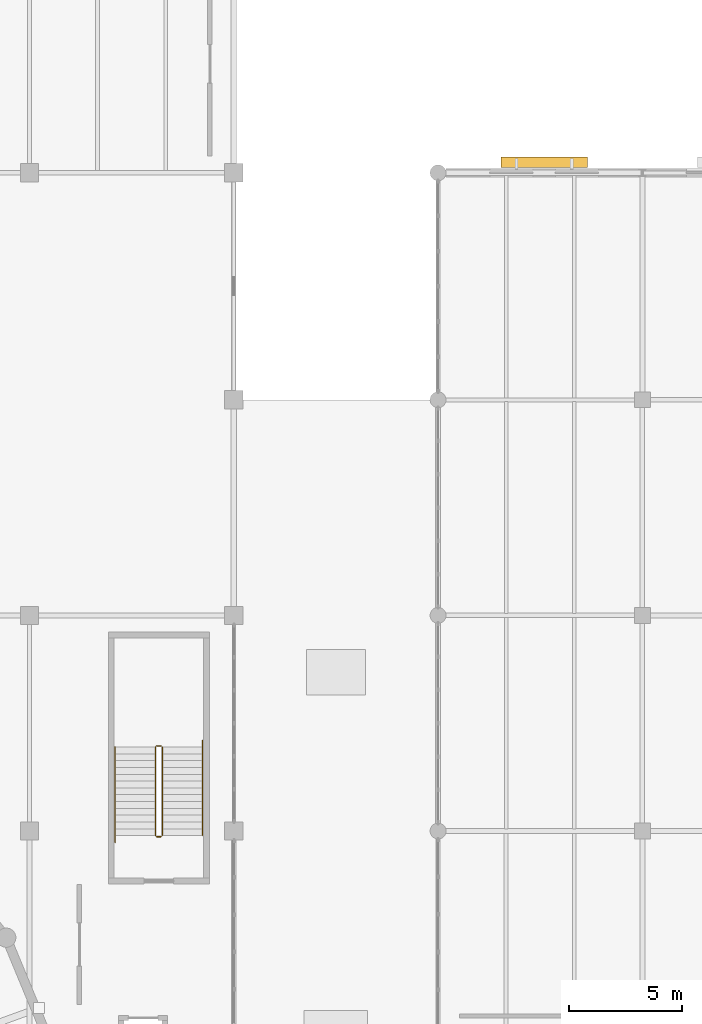
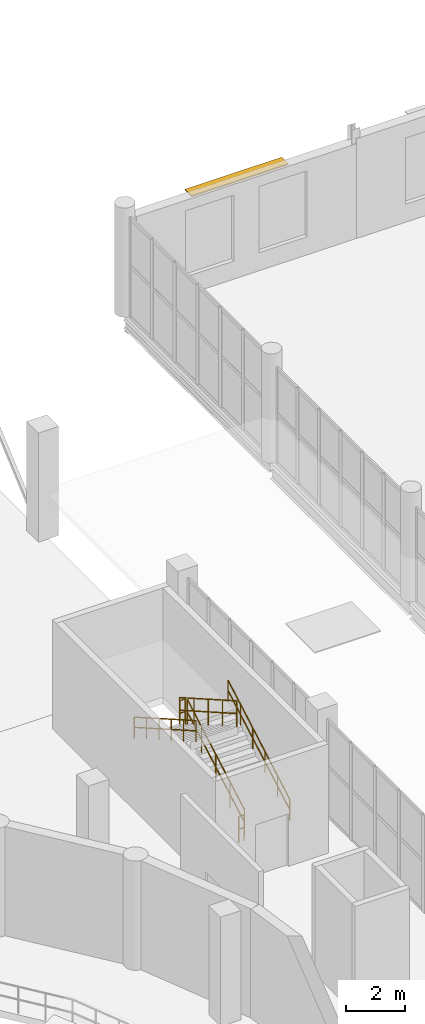
# One storey, part 91 of 93: 6 railings, 1 shading device.
"""IFC4 building model written with IfcOpenShell, lengths in metres."""

from ifc_helpers import new_model, si_unit, direction, frame, origin, origin_2d, place, context, subcontext, project, spatial, rectangle, circle, extrude, material, layer, layer_set, type_object, element, save


model = new_model("IFC4")

# Units and contexts
model_context = context("Model", 3, precision=1e-05, world=origin(), true_north=direction((0.0, 1.0)))
body_context = subcontext(model_context, "Body", "Model", "MODEL_VIEW")
ifc_project = project(units=[si_unit("LENGTHUNIT", "METRE"), si_unit("AREAUNIT", "SQUARE_METRE"), si_unit("VOLUMEUNIT", "CUBIC_METRE"), si_unit("PLANEANGLEUNIT", "RADIAN"), si_unit("MASSUNIT", "GRAM", prefix="KILO")], contexts=[model_context])

# Site, building, storey
site_placement = place(None, origin())
site = spatial("IfcSite", under=ifc_project, at=site_placement, CompositionType="ELEMENT")
building_placement = place(site_placement, origin())
building = spatial("IfcBuilding", under=site, at=building_placement, Name="Marnock Terrace Opera House", CompositionType="ELEMENT")
storey_placement = place(building_placement, frame((0.0, 0.0, 5.39990234375)))
storey = spatial("IfcBuildingStorey", under=building, at=storey_placement, Name="L01", CompositionType="ELEMENT", Elevation=5.39990234375)

# Railings
ifc_material_1 = material(Name="Architectural bronze balustrade")
railing_type_1 = type_object("IfcRailingType", Name="RL-GUARD-1100", PredefinedType="GUARDRAIL", material=ifc_material_1)
railing_1_placement = place(storey_placement, frame((105.85009765625, 74.800048828125, 0.171630859375)))
element("IfcRailing", 1, at=railing_1_placement, inside=storey, type_object=railing_type_1, Name="L01 ST-04 stair guard 1", PredefinedType="GUARDRAIL", context=body_context, shape_type="SweptSolid", body=[
    extrude(circle(Radius=0.02392578125, at=origin_2d()), frame((0.0, 0.0, 1.076171875), z_axis=(0.0, 0.868243142124, 0.496138938357), x_axis=(-1.0, 0.0, 0.0)), (0.0, 0.0, 1.0), 4.49169921875),
    extrude(circle(Radius=0.02392578125, at=origin_2d()), frame((0.0, 0.0, 0.550048828125), z_axis=(0.0, 0.868243142124, 0.496138938357), x_axis=(-1.0, 0.0, 0.0)), (0.0, 0.0, 1.0), 4.49169921875),
    extrude(circle(Radius=0.02099609375, at=origin_2d()), origin(), (0.0, 0.0, 1.0), 1.052001953125),
    extrude(circle(Radius=0.02099609375, at=origin_2d()), frame((0.0, 0.97509765625, 0.55712890625)), (0.0, 0.0, 1.0), 1.052001953125),
    extrude(circle(Radius=0.02099609375, at=origin_2d()), frame((0.0, 1.949951171875, 1.1142578125)), (0.0, 0.0, 1.0), 1.052001953125),
    extrude(circle(Radius=0.02099609375, at=origin_2d()), frame((0.0, 2.9248046875, 1.67138671875)), (0.0, 0.0, 1.0), 1.052001953125),
    extrude(circle(Radius=0.02099609375, at=origin_2d()), frame((0.0, 3.89990234375, 2.228515625)), (0.0, 0.0, 1.0), 1.052001953125),
])
railing_2_placement = place(storey_placement, frame((105.800048828125, 78.75, 2.400146484375)))
element("IfcRailing", 2, at=railing_2_placement, inside=storey, type_object=railing_type_1, Name="L01 ST-04 stair guard 2", PredefinedType="GUARDRAIL", context=body_context, shape_type="SweptSolid", body=[
    extrude(circle(Radius=0.02392578125, at=origin_2d()), frame((0.0, 0.0, 1.076171875), z_axis=(-1.0, 0.0, 0.0), x_axis=(0.0, -1.0, 0.0)), (0.0, 0.0, 1.0), 0.199951171875),
    extrude(circle(Radius=0.02392578125, at=origin_2d()), frame((0.0, 0.0, 0.550048828125), z_axis=(-1.0, 0.0, 0.0), x_axis=(0.0, -1.0, 0.0)), (0.0, 0.0, 1.0), 0.199951171875),
    extrude(circle(Radius=0.02099609375, at=origin_2d()), origin(), (0.0, 0.0, 1.0), 1.052001953125),
    extrude(circle(Radius=0.02099609375, at=origin_2d()), frame((-0.199951171875, 0.0, 0.0)), (0.0, 0.0, 1.0), 1.052001953125),
])
railing_3_placement = place(storey_placement, frame((105.550048828125, 78.699951171875, 2.571533203125)))
element("IfcRailing", 3, at=railing_3_placement, inside=storey, type_object=railing_type_1, Name="L01 ST-04 stair guard 3", PredefinedType="GUARDRAIL", context=body_context, shape_type="SweptSolid", body=[
    extrude(circle(Radius=0.02392578125, at=origin_2d()), frame((0.0, 0.0, 1.076171875), z_axis=(0.0, -0.868243142124, 0.496138938357), x_axis=(1.0, 0.0, 0.0)), (0.0, 0.0, 1.0), 4.49169921875),
    extrude(circle(Radius=0.02392578125, at=origin_2d()), frame((0.0, 0.0, 0.550048828125), z_axis=(0.0, -0.868243142124, 0.496138938357), x_axis=(1.0, 0.0, 0.0)), (0.0, 0.0, 1.0), 4.49169921875),
    extrude(circle(Radius=0.02099609375, at=origin_2d()), origin(), (0.0, 0.0, 1.0), 1.052001953125),
    extrude(circle(Radius=0.02099609375, at=origin_2d()), frame((0.0, -0.97509765625, 0.55712890625)), (0.0, 0.0, 1.0), 1.052001953125),
    extrude(circle(Radius=0.02099609375, at=origin_2d()), frame((0.0, -1.949951171875, 1.1142578125)), (0.0, 0.0, 1.0), 1.052001953125),
    extrude(circle(Radius=0.02099609375, at=origin_2d()), frame((0.0, -2.9248046875, 1.67138671875)), (0.0, 0.0, 1.0), 1.052001953125),
    extrude(circle(Radius=0.02099609375, at=origin_2d()), frame((0.0, -3.89990234375, 2.228515625)), (0.0, 0.0, 1.0), 1.052001953125),
])
railing_4_placement = place(storey_placement, frame((105.800048828125, 74.75, 0.0)))
element("IfcRailing", 4, at=railing_4_placement, inside=storey, type_object=railing_type_1, Name="L01 ST-04 stair guard 4", PredefinedType="GUARDRAIL", context=body_context, shape_type="SweptSolid", body=[
    extrude(circle(Radius=0.02392578125, at=origin_2d()), frame((0.0, 0.0, 1.076171875), z_axis=(-1.0, 0.0, 0.0), x_axis=(0.0, -1.0, 0.0)), (0.0, 0.0, 1.0), 0.199951171875),
    extrude(circle(Radius=0.02392578125, at=origin_2d()), frame((0.0, 0.0, 0.550048828125), z_axis=(-1.0, 0.0, 0.0), x_axis=(0.0, -1.0, 0.0)), (0.0, 0.0, 1.0), 0.199951171875),
    extrude(circle(Radius=0.02099609375, at=origin_2d()), origin(), (0.0, 0.0, 1.0), 1.052001953125),
    extrude(circle(Radius=0.02099609375, at=origin_2d()), frame((-0.199951171875, 0.0, 0.0)), (0.0, 0.0, 1.0), 1.052001953125),
])
railing_type_2 = type_object("IfcRailingType", Name="RL-HAND-900", PredefinedType="HANDRAIL", material=ifc_material_1)
railing_5_placement = place(storey_placement, frame((107.6298828125, 74.800048828125, 0.18359375)))
element("IfcRailing", 5, at=railing_5_placement, inside=storey, type_object=railing_type_2, Name="L01 ST-04 stair handrail 1", PredefinedType="HANDRAIL", context=body_context, shape_type="SweptSolid", body=[
    extrude(circle(Radius=0.02392578125, at=origin_2d()), frame((0.0, 0.0, 0.8759765625), z_axis=(0.0, 0.868249353848, 0.496128067682), x_axis=(-1.0, 0.0, 0.0)), (0.0, 0.0, 1.0), 4.837158203125),
    extrude(circle(Radius=0.02392578125, at=origin_2d()), frame((0.0, 0.0, 0.449951171875), z_axis=(0.0, 0.868249353848, 0.496128067682), x_axis=(-1.0, 0.0, 0.0)), (0.0, 0.0, 1.0), 4.837158203125),
    extrude(circle(Radius=0.02099609375, at=origin_2d()), origin(), (0.0, 0.0, 1.0), 0.851806640625),
    extrude(circle(Radius=0.02099609375, at=origin_2d()), frame((0.0, 0.840087890625, 0.47998046875)), (0.0, 0.0, 1.0), 0.851806640625),
    extrude(circle(Radius=0.02099609375, at=origin_2d()), frame((0.0, 1.679931640625, 0.9599609375)), (0.0, 0.0, 1.0), 0.851806640625),
    extrude(circle(Radius=0.02099609375, at=origin_2d()), frame((0.0, 2.52001953125, 1.43994140625)), (0.0, 0.0, 1.0), 0.851806640625),
    extrude(circle(Radius=0.02099609375, at=origin_2d()), frame((0.0, 3.35986328125, 1.919921875)), (0.0, 0.0, 1.0), 0.851806640625),
    extrude(circle(Radius=0.02099609375, at=origin_2d()), frame((0.0, 4.199951171875, 2.39990234375)), (0.0, 0.0, 1.0), 0.851806640625),
])
railing_6_placement = place(storey_placement, frame((103.77001953125, 78.699951171875, 2.58349609375)))
element("IfcRailing", 6, at=railing_6_placement, inside=storey, type_object=railing_type_2, Name="L01 ST-04 stair handrail 2", PredefinedType="HANDRAIL", context=body_context, shape_type="SweptSolid", body=[
    extrude(circle(Radius=0.02392578125, at=origin_2d()), frame((0.0, 0.0, 0.8759765625), z_axis=(0.0, -0.868227612608, 0.496166114024), x_axis=(1.0, 0.0, 0.0)), (0.0, 0.0, 1.0), 4.83740234375),
    extrude(circle(Radius=0.02392578125, at=origin_2d()), frame((0.0, 0.0, 0.449951171875), z_axis=(0.0, -0.868227612608, 0.496166114024), x_axis=(1.0, 0.0, 0.0)), (0.0, 0.0, 1.0), 4.83740234375),
    extrude(circle(Radius=0.02099609375, at=origin_2d()), origin(), (0.0, 0.0, 1.0), 0.851806640625),
    extrude(circle(Radius=0.02099609375, at=origin_2d()), frame((0.0, -0.840087890625, 0.47998046875)), (0.0, 0.0, 1.0), 0.851806640625),
    extrude(circle(Radius=0.02099609375, at=origin_2d()), frame((0.0, -1.679931640625, 0.9599609375)), (0.0, 0.0, 1.0), 0.851806640625),
    extrude(circle(Radius=0.02099609375, at=origin_2d()), frame((0.0, -2.52001953125, 1.440185546875)), (0.0, 0.0, 1.0), 0.851806640625),
    extrude(circle(Radius=0.02099609375, at=origin_2d()), frame((0.0, -3.35986328125, 1.920166015625)), (0.0, 0.0, 1.0), 0.851806640625),
    extrude(circle(Radius=0.02099609375, at=origin_2d()), frame((0.0, -4.199951171875, 2.400146484375)), (0.0, 0.0, 1.0), 0.851806640625),
])

# Shading device
ifc_material_2 = material(Name="Architectural cast bronze")
ifc_layer = layer(ifc_material_2, 0.054931640625)
ifc_layer_set = layer_set([ifc_layer], Name="Architectural cast bronze")
shading_device_type = type_object("IfcShadingDeviceType", Name="SHD-LOUVRE-3800", PredefinedType="JALOUSIE", material=ifc_layer_set)
shading_device_placement = place(storey_placement, frame((122.673095703125, 104.465087890625, 3.64111328125), z_axis=(0.0, 0.0, 1.0), x_axis=(1.0, 0.0, 0.0)))
element("IfcShadingDevice", 7, at=shading_device_placement, inside=storey, type_object=shading_device_type, Name="Adelaide sun-control bronze brise-soleil EW-V5N-L01-1", PredefinedType="JALOUSIE", context=body_context, shape_type="SweptSolid", body=[
    extrude(rectangle(XDim=3.800048828125, YDim=0.449951171875, at=origin_2d()), origin(), (0.0, 0.0, 1.0), 0.054931640625),
])

save(model, "model.ifc")
